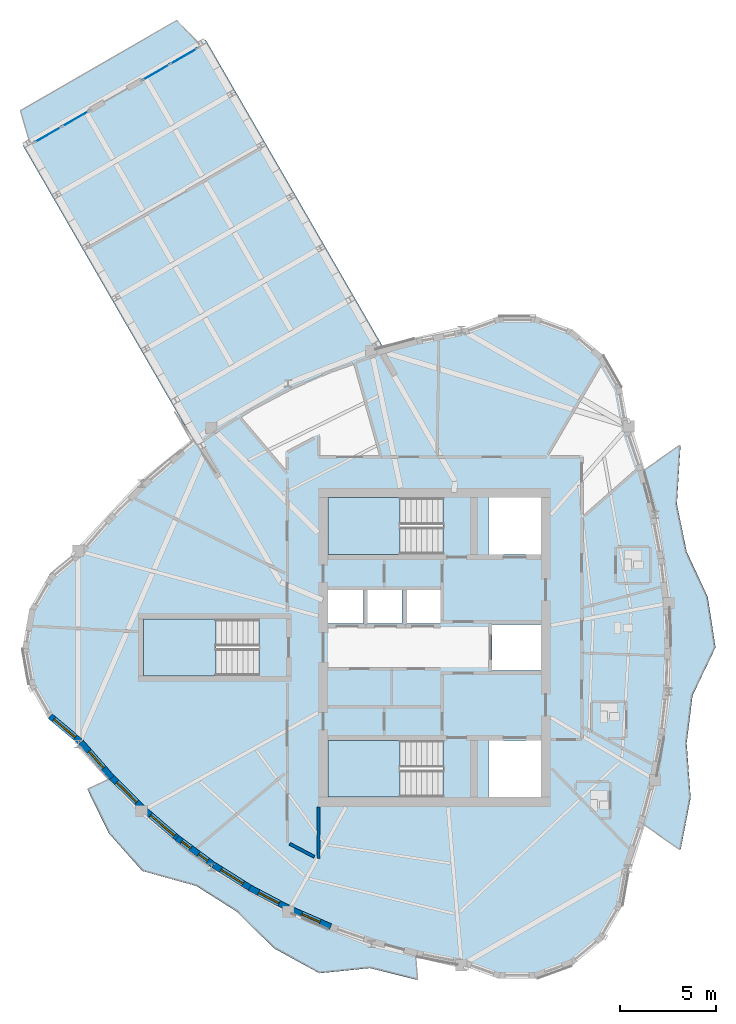
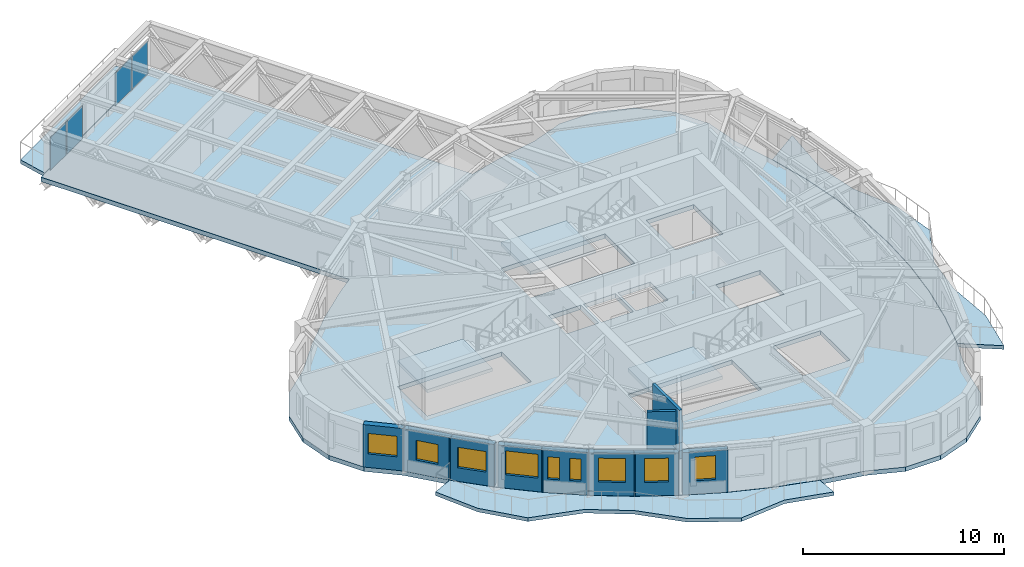
# One storey, part 4 of 14: 10 walls, 9 windows, 7 slabs, 4 plates, 9 openings, 5 elements without a shape of their own.
"""IFC4 building model written with IfcOpenShell, lengths in metres."""

from ifc_helpers import new_model, si_unit, direction, frame, frame_2d, origin, origin_2d, place, context, subcontext, project, spatial, polyline, rectangle, outline, extrude, source, transform, mapped, material, layer, layer_set, type_object, element, fill, aggregate, save


model = new_model("IFC4")

# Units and contexts
model_context = context("Model", 3, precision=1e-05, world=origin(), true_north=direction((0.0, 1.0)))
body_context = subcontext(model_context, "Body", "Model", "MODEL_VIEW")
ifc_project = project(units=[si_unit("LENGTHUNIT", "METRE"), si_unit("AREAUNIT", "SQUARE_METRE"), si_unit("VOLUMEUNIT", "CUBIC_METRE"), si_unit("PLANEANGLEUNIT", "RADIAN"), si_unit("MASSUNIT", "GRAM", prefix="KILO")], contexts=[model_context])

# Site, building, storey
site_placement = place(None, origin())
site = spatial("IfcSite", under=ifc_project, at=site_placement, CompositionType="ELEMENT")
building_placement = place(site_placement, origin())
building = spatial("IfcBuilding", under=site, at=building_placement, Name="Qafzar Sky-Pleat Residences", CompositionType="ELEMENT")
storey_placement = place(building_placement, frame((0.0, 0.0, 211.60009765625)))
storey = spatial("IfcBuildingStorey", under=building, at=storey_placement, Name="L63", CompositionType="ELEMENT", Elevation=211.60009765625)

# Slabs
ifc_material_1 = material(Name="Concrete C40/50", Category="concrete")
ifc_layer_1 = layer(ifc_material_1, 0.219970703125)
ifc_layer_set_1 = layer_set([ifc_layer_1], Name="Concrete C40/50")
slab_type_1 = type_object("IfcSlabType", Name="SLAB-BAL-220", PredefinedType="USERDEFINED", material=ifc_layer_set_1)
slab_1_placement = place(storey_placement, frame((0.0, 0.0, -0.22021484375)))
element("IfcSlab", 1, at=slab_1_placement, inside=storey, type_object=slab_type_1, Name="L63 Pleated Stone Balcony 1", ObjectType="BALCONY", PredefinedType="USERDEFINED", context=body_context, shape_type="SweptSolid", body=[
    extrude(outline(polyline([(41.8642578125, 19.0810546875), (42.302978515625, 21.38720703125), (42.566162109375, 23.693603515625), (42.65380859375, 26.0), (42.566162109375, 28.306396484375), (42.302978515625, 30.61279296875), (41.8642578125, 32.9189453125), (41.25048828125, 35.224853515625), (43.163330078125, 36.556640625), (42.97216796875, 33.4716796875), (43.481201171875, 30.99267578125), (44.5791015625, 28.625), (44.984619140625, 26.0), (43.788818359375, 23.5), (43.481201171875, 21.00732421875), (43.68798828125, 18.171142578125), (43.163330078125, 15.443359375), (41.25048828125, 16.775146484375), (41.8642578125, 19.0810546875)])), origin(), (0.0, 0.0, 1.0), 0.22021484375),
])
slab_2_placement = place(storey_placement, frame((0.0, 0.0, -0.22021484375)))
element("IfcSlab", 2, at=slab_2_placement, inside=storey, type_object=slab_type_1, Name="L63 Pleated Stone Balcony 2", ObjectType="BALCONY", PredefinedType="USERDEFINED", context=body_context, shape_type="SweptSolid", body=[
    extrude(outline(polyline([(15.075927734375, 17.452392578125), (16.85400390625, 15.919677734375), (18.719482421875, 14.53857421875), (20.673095703125, 13.3095703125), (22.71435546875, 12.232177734375), (24.84326171875, 11.306884765625), (27.059814453125, 10.53369140625), (29.36376953125, 9.912353515625), (29.46826171875, 8.6787109375), (26.984619140625, 9.298095703125), (24.353759765625, 9.028076171875), (21.98388671875, 10.32958984375), (20.05419921875, 12.2373046875), (17.940673828125, 13.576416015625), (15.125244140625, 14.356201171875), (13.3759765625, 16.328369140625), (12.26513671875, 18.611083984375), (13.3857421875, 19.13720703125), (15.075927734375, 17.452392578125)])), origin(), (0.0, 0.0, 1.0), 0.22021484375),
])
ifc_layer_2 = layer(ifc_material_1, 0.22998046875)
ifc_layer_set_2 = layer_set([ifc_layer_2], Name="Concrete C40/50")
slab_type_2 = type_object("IfcSlabType", Name="SLAB-BAL-230", PredefinedType="USERDEFINED", material=ifc_layer_set_2)
slab_3_placement = place(storey_placement, frame((0.0, 0.0, -0.22998046875)))
element("IfcSlab", 3, at=slab_3_placement, inside=storey, type_object=slab_type_2, Name="L63 SB-5 Tip Observation Balcony", ObjectType="BALCONY", PredefinedType="USERDEFINED", context=body_context, shape_type="SweptSolid", body=[
    extrude(outline(polyline([(18.084716796875, 57.444091796875), (16.9208984375, 58.659912109375), (8.7802734375, 53.9599609375), (9.251220703125, 52.343994140625), (18.084716796875, 57.444091796875)])), origin(), (0.0, 0.0, 1.0), 0.22998046875),
])

# Stair, slab
stair_type = type_object("IfcStairType", Name="STAIR-H320", PredefinedType="HALF_TURN_STAIR", material=ifc_material_1)
stair_1_placement = place(storey_placement, origin())
stair_1 = element("IfcStair", 4, at=stair_1_placement, inside=storey, type_object=stair_type, Name="L63 Protected Exit Stair ST1", PredefinedType="HALF_TURN_STAIR")
ifc_layer_3 = layer(ifc_material_1, 0.199951171875)
ifc_layer_set_3 = layer_set([ifc_layer_3], Name="Concrete C40/50")
slab_type_3 = type_object("IfcSlabType", Name="SLAB-LANDING-200", PredefinedType="LANDING", material=ifc_layer_set_3)
slab_4_placement = place(storey_placement, frame((0.0, 0.0, 1.39990234375)))
slab_4 = element("IfcSlab", 5, at=slab_4_placement, type_object=slab_type_3, Name="ST1 landing 1", PredefinedType="LANDING", context=body_context, shape_type="SweptSolid", body=[
    extrude(outline(polyline([(28.56005859375, 21.14990234375), (24.800048828125, 21.14990234375), (24.800048828125, 18.199951171875), (28.56005859375, 18.199951171875), (28.56005859375, 21.14990234375)])), origin(), (0.0, 0.0, 1.0), 0.199951171875),
])
aggregate(stair_1, [slab_4])

stair_2_placement = place(storey_placement, origin())
stair_2 = element("IfcStair", 6, at=stair_2_placement, inside=storey, type_object=stair_type, Name="L63 Protected Exit Stair ST2", PredefinedType="HALF_TURN_STAIR")
slab_5_placement = place(storey_placement, frame((0.0, 0.0, 1.39990234375)))
slab_5 = element("IfcSlab", 7, at=slab_5_placement, type_object=slab_type_3, Name="ST2 landing 1", PredefinedType="LANDING", context=body_context, shape_type="SweptSolid", body=[
    extrude(outline(polyline([(28.56005859375, 33.800048828125), (24.800048828125, 33.800048828125), (24.800048828125, 30.85009765625), (28.56005859375, 30.85009765625), (28.56005859375, 33.800048828125)])), origin(), (0.0, 0.0, 1.0), 0.199951171875),
])
aggregate(stair_2, [slab_5])

stair_3_placement = place(storey_placement, origin())
stair_3 = element("IfcStair", 8, at=stair_3_placement, inside=storey, type_object=stair_type, Name="L63 Protected Exit Stair ST3", PredefinedType="HALF_TURN_STAIR")
slab_6_placement = place(storey_placement, frame((0.0, 0.0, 1.39990234375)))
slab_6 = element("IfcSlab", 9, at=slab_6_placement, type_object=slab_type_3, Name="ST3 landing 1", PredefinedType="LANDING", context=body_context, shape_type="SweptSolid", body=[
    extrude(outline(polyline([(18.9599609375, 27.47509765625), (15.199951171875, 27.47509765625), (15.199951171875, 24.52490234375), (18.9599609375, 24.52490234375), (18.9599609375, 27.47509765625)])), origin(), (0.0, 0.0, 1.0), 0.199951171875),
])
aggregate(stair_3, [slab_6])

# Slab
ifc_layer_4 = layer(ifc_material_1, 0.264892578125)
ifc_layer_set_4 = layer_set([ifc_layer_4], Name="Concrete C40/50")
slab_type_4 = type_object("IfcSlabType", Name="SLAB-SB-265", PredefinedType="FLOOR", material=ifc_layer_set_4)
slab_7_placement = place(storey_placement, frame((0.0, 0.0, -0.26513671875)))
element("IfcSlab", 10, at=slab_7_placement, inside=storey, type_object=slab_type_4, Name="L63 Structural Floor Slab", PredefinedType="FLOOR", context=body_context, shape_type="SweptSolid", body=[
    extrude(outline(polyline([(29.36279296875, 42.07568359375), (31.75244140625, 42.54541015625), (33.645263671875, 43.234375), (35.65966796875, 43.234375), (37.552490234375, 42.54541015625), (39.095703125, 41.25048828125), (40.102783203125, 39.506103515625), (40.452392578125, 37.5224609375), (41.240478515625, 35.218017578125), (41.853515625, 32.91357421875), (42.29150390625, 30.60888671875), (42.55419921875, 28.304443359375), (42.641845703125, 26.0), (42.55419921875, 23.695556640625), (42.29150390625, 21.39111328125), (41.853515625, 19.08642578125), (41.240478515625, 16.781982421875), (40.452392578125, 14.4775390625), (40.102783203125, 12.493896484375), (39.095703125, 10.74951171875), (37.552490234375, 9.45458984375), (35.65966796875, 8.765625), (33.645263671875, 8.765625), (31.75244140625, 9.45458984375), (29.36279296875, 9.92431640625), (27.060302734375, 10.545654296875), (24.845703125, 11.318603515625), (22.71875, 12.243408203125), (20.67919921875, 13.31982421875), (18.727294921875, 14.5478515625), (16.86279296875, 15.927734375), (15.0859375, 17.458984375), (13.396728515625, 19.142333984375), (11.794921875, 20.97705078125), (10.251953125, 22.271728515625), (9.244873046875, 24.016357421875), (8.89501953125, 26.0), (9.244873046875, 27.983642578125), (10.251953125, 29.728271484375), (11.794921875, 31.02294921875), (13.396728515625, 32.857666015625), (15.0859375, 34.541015625), (16.86279296875, 36.072265625), (17.788330078125, 36.75732421875), (8.912353515625, 52.131103515625), (18.438720703125, 57.631103515625), (27.681396484375, 41.621826171875), (29.36279296875, 42.07568359375)]), holes=[polyline([(30.797119140625, 21.14990234375), (24.800048828125, 21.14990234375), (24.800048828125, 18.199951171875), (30.797119140625, 18.199951171875), (30.797119140625, 21.14990234375)]), polyline([(30.797119140625, 33.800048828125), (24.800048828125, 33.800048828125), (24.800048828125, 30.85009765625), (30.797119140625, 30.85009765625), (30.797119140625, 33.800048828125)]), polyline([(21.197021484375, 27.47509765625), (15.199951171875, 27.47509765625), (15.199951171875, 24.52490234375), (21.197021484375, 24.52490234375), (21.197021484375, 27.47509765625)]), polyline([(24.800048828125, 27.25), (26.64990234375, 27.25), (26.64990234375, 29.050048828125), (24.800048828125, 29.050048828125), (24.800048828125, 27.25)]), polyline([(26.800048828125, 27.25), (28.64990234375, 27.25), (28.64990234375, 29.050048828125), (26.800048828125, 29.050048828125), (26.800048828125, 27.25)]), polyline([(28.800048828125, 27.25), (30.64990234375, 27.25), (30.64990234375, 29.050048828125), (28.800048828125, 29.050048828125), (28.800048828125, 27.25)]), polyline([(33.14990234375, 18.199951171875), (35.89990234375, 18.199951171875), (35.89990234375, 21.14990234375), (33.14990234375, 21.14990234375), (33.14990234375, 18.199951171875)]), polyline([(33.14990234375, 30.85009765625), (35.89990234375, 30.85009765625), (35.89990234375, 33.800048828125), (33.14990234375, 33.800048828125), (33.14990234375, 30.85009765625)]), polyline([(33.35009765625, 24.800048828125), (35.89990234375, 24.800048828125), (35.89990234375, 27.199951171875), (33.35009765625, 27.199951171875), (33.35009765625, 24.800048828125)])]), origin(), (0.0, 0.0, 1.0), 0.26513671875),
])

# Curtain wall, plates
ifc_material_2 = material(Name="Anodised bronze aluminium framing", Category="aluminium")
ifc_layer_5 = layer(ifc_material_2, 0.239990234375)
ifc_layer_set_5 = layer_set([ifc_layer_5], Name="Anodised bronze aluminium framing")
curtain_wall_type_1 = type_object("IfcCurtainWallType", Name="CW-SYS-02", PredefinedType="NOTDEFINED", material=ifc_layer_set_5)
curtain_wall_1_placement = place(storey_placement, origin())
curtain_wall_1 = element("IfcCurtainWall", 11, at=curtain_wall_1_placement, inside=storey, type_object=curtain_wall_type_1, Name="L63 CW-02 Curtain Wall CW-L63-SB-5-PROW-L", PredefinedType="NOTDEFINED")
ifc_material_3 = material(Name="Solar-control double low-E glazing", Category="glass")
ifc_layer_6 = layer(ifc_material_3, 0.031982421875)
ifc_layer_set_6 = layer_set([ifc_layer_6], Name="Solar-control double low-E glazing")
plate_type_1 = type_object("IfcPlateType", Name="CWP-02", PredefinedType="CURTAIN_PANEL", material=ifc_layer_set_6)
shared_shape_1 = source(origin(), body_context, "Body", "SweptSolid", [
    extrude(rectangle(XDim=1.57763671875, YDim=0.031982421875, at=origin_2d()), origin(), (0.0, 0.0, 1.0), 1.989990234375),
])
plate_1_placement = place(storey_placement, frame((10.220458984375, 52.712890625, 0.07470703125), z_axis=(0.0, 0.0, 1.0), x_axis=(0.866027928541, 0.499995626969, 0.0)))
plate_1 = element("IfcPlate", 12, at=plate_1_placement, type_object=plate_type_1, Name="CW-02 panel 1.1", PredefinedType="CURTAIN_PANEL", context=body_context, shape_type="MappedRepresentation", body=[
    mapped(shared_shape_1, transform((0.0, 0.0, 0.0), x_axis=(1.0, 0.0, 0.0), y_axis=(0.0, 1.0, 0.0), z_axis=(0.0, 0.0, 1.0), scale=1.0)),
])
plate_2_placement = place(storey_placement, frame((11.651611328125, 53.539306640625, 0.07470703125), z_axis=(0.0, 0.0, 1.0), x_axis=(0.866027928541, 0.499995626969, 0.0)))
plate_2 = element("IfcPlate", 13, at=plate_2_placement, type_object=plate_type_1, Name="CW-02 panel 2.1", PredefinedType="CURTAIN_PANEL", context=body_context, shape_type="MappedRepresentation", body=[
    mapped(shared_shape_1, transform((0.0, 0.0, 0.0), x_axis=(1.0, 0.0, 0.0), y_axis=(0.0, 1.0, 0.0), z_axis=(0.0, 0.0, 1.0), scale=1.0)),
])
aggregate(curtain_wall_1, [plate_1, plate_2])

ifc_layer_7 = layer(ifc_material_2, 0.219970703125)
ifc_layer_set_7 = layer_set([ifc_layer_7], Name="Anodised bronze aluminium framing")
curtain_wall_type_2 = type_object("IfcCurtainWallType", Name="CW-SYS-03", PredefinedType="NOTDEFINED", material=ifc_layer_set_7)
curtain_wall_2_placement = place(storey_placement, origin())
curtain_wall_2 = element("IfcCurtainWall", 14, at=curtain_wall_2_placement, inside=storey, type_object=curtain_wall_type_2, Name="L63 CW-03 Curtain Wall CW-L63-SB-5-PROW-R", PredefinedType="NOTDEFINED")
ifc_layer_8 = layer(ifc_material_3, 0.030029296875)
ifc_layer_set_8 = layer_set([ifc_layer_8], Name="Solar-control double low-E glazing")
plate_type_2 = type_object("IfcPlateType", Name="CWP-03", PredefinedType="CURTAIN_PANEL", material=ifc_layer_set_8)
shared_shape_2 = source(origin(), body_context, "Body", "SweptSolid", [
    extrude(rectangle(XDim=1.5849609375, YDim=0.030029296875, at=origin_2d()), origin(), (0.0, 0.0, 1.0), 2.0),
])
plate_3_placement = place(storey_placement, frame((15.848388671875, 55.96240234375, 0.06982421875), z_axis=(0.0, 0.0, 1.0), x_axis=(0.866027928541, 0.499995626969, 0.0)))
plate_3 = element("IfcPlate", 15, at=plate_3_placement, type_object=plate_type_2, Name="CW-03 panel 1.1", PredefinedType="CURTAIN_PANEL", context=body_context, shape_type="MappedRepresentation", body=[
    mapped(shared_shape_2, transform((0.0, 0.0, 0.0), x_axis=(1.0, 0.0, 0.0), y_axis=(0.0, 1.0, 0.0), z_axis=(0.0, 0.0, 1.0), scale=1.0)),
])
plate_4_placement = place(storey_placement, frame((17.28173828125, 56.789794921875, 0.06982421875), z_axis=(0.0, 0.0, 1.0), x_axis=(0.866027928541, 0.499995626969, 0.0)))
plate_4 = element("IfcPlate", 16, at=plate_4_placement, type_object=plate_type_2, Name="CW-03 panel 2.1", PredefinedType="CURTAIN_PANEL", context=body_context, shape_type="MappedRepresentation", body=[
    mapped(shared_shape_2, transform((0.0, 0.0, 0.0), x_axis=(1.0, 0.0, 0.0), y_axis=(0.0, 1.0, 0.0), z_axis=(0.0, 0.0, 1.0), scale=1.0)),
])
aggregate(curtain_wall_2, [plate_3, plate_4])

# Walls
ifc_material_4 = material(Name="Acoustic gypsum plasterboard partition", Category="gypsum")
ifc_layer_9 = layer(ifc_material_4, 0.159912109375)
ifc_layer_set_9 = layer_set([ifc_layer_9], Name="Acoustic gypsum plasterboard partition")
wall_type_1 = type_object("IfcWallType", Name="PART-COR-160", PredefinedType="PARTITIONING", material=ifc_layer_set_9)
wall_1_placement = place(storey_placement, frame((24.300048828125, 15.001953125, 0.0), z_axis=(0.0, 0.0, 1.0), x_axis=(0.0, 1.0, 0.0)))
element("IfcWall", 17, at=wall_1_placement, inside=storey, type_object=wall_type_1, Name="L63 Partition Wall PART-L63-PW-029", PredefinedType="PARTITIONING", context=body_context, shape_type="SweptSolid", body=[
    extrude(rectangle(XDim=2.68994140625, YDim=0.159912109375, at=frame_2d((1.344970703125, 0.0))), origin(), (0.0, 0.0, 1.0), 2.9599609375),
])
wall_2_placement = place(storey_placement, frame((22.804443359375, 15.771240234375, 0.0), z_axis=(0.0, 0.0, 1.0), x_axis=(0.884421402819, -0.4666891709, 0.0)))
element("IfcWall", 18, at=wall_2_placement, inside=storey, type_object=wall_type_1, Name="L63 Partition Wall PART-L63-PW-041", PredefinedType="PARTITIONING", context=body_context, shape_type="SweptSolid", body=[
    extrude(rectangle(XDim=1.451171875, YDim=0.159912109375, at=frame_2d((0.7255859375, 0.0))), origin(), (0.0, 0.0, 1.0), 2.9599609375),
])

# Wall, opening, window
ifc_material_5 = material(Name="Precast concrete C40/50 with honed Riyadh limestone", Category="concrete")
ifc_layer_10 = layer(ifc_material_5, 0.320068359375)
ifc_layer_set_10 = layer_set([ifc_layer_10], Name="Precast concrete C40/50 with honed Riyadh limestone")
wall_type_2 = type_object("IfcWallType", Name="WALL-EXT-320", PredefinedType="SOLIDWALL", material=ifc_layer_set_10)
wall_3_placement = place(storey_placement, frame((10.32568359375, 22.418701171875, 0.0), z_axis=(0.0, 0.0, 1.0), x_axis=(0.766099948115, -0.642721455608, 0.0)))
wall_3 = element("IfcWall", 19, at=wall_3_placement, inside=storey, type_object=wall_type_2, Name="L63 Limestone Facade Wall 6", PredefinedType="SOLIDWALL", context=body_context, shape_type="SweptSolid", body=[
    extrude(rectangle(XDim=2.0322265625, YDim=0.320068359375, at=frame_2d((1.01611328125, 0.0))), origin(), (0.0, 0.0, 1.0), 2.579833984375),
])
opening_1_placement = place(wall_3_placement, frame((0.26123046875, 0.0, 0.820068359375)))
opening_1 = element("IfcOpeningElement", 20, at=opening_1_placement, cuts=wall_3, Name="Opening WN-15", PredefinedType="OPENING", context=body_context, shape_type="SweptSolid", body=[
    extrude(rectangle(XDim=1.449951171875, YDim=1.25, at=frame_2d((0.72509765625, 0.625))), frame((0.0, 0.169921875, 0.0), z_axis=(0.0, -1.0, 0.0), x_axis=(1.0, 0.0, 0.0)), (0.0, 0.0, 1.0), 0.340087890625),
])
ifc_material_6 = material(Name="Solar-control low-E glass in bronze aluminium frame", Category="glass")
window_type_1 = type_object("IfcWindowType", Name="WIN-15", PartitioningType="SINGLE_PANEL", PredefinedType="WINDOW", material=ifc_material_6)
shared_shape_3 = source(origin(), body_context, "Body", "SweptSolid", [
    extrude(rectangle(XDim=1.449951171875, YDim=1.25, at=frame_2d((0.72509765625, 0.625))), frame((0.0, 0.030029296875, 0.0), z_axis=(0.0, -1.0, 0.0), x_axis=(1.0, 0.0, 0.0)), (0.0, 0.0, 1.0), 0.06005859375),
])
window_1_placement = place(opening_1_placement, origin())
window_1 = element("IfcWindow", 21, at=window_1_placement, inside=storey, type_object=window_type_1, Name="L63 Punched Facade Window 06", OverallHeight=1.25, OverallWidth=1.449951171875, PartitioningType="SINGLE_PANEL", PredefinedType="WINDOW", context=body_context, shape_type="MappedRepresentation", body=[
    mapped(shared_shape_3, transform((0.0, 0.0, 0.0), x_axis=(1.0, 0.0, 0.0), y_axis=(0.0, 1.0, 0.0), z_axis=(0.0, 0.0, 1.0), scale=1.0)),
])
fill(opening_1, window_1)

wall_4_placement = place(storey_placement, frame((11.9287109375, 21.0673828125, 0.0), z_axis=(0.0, 0.0, 1.0), x_axis=(0.657623588515, -0.753346677054, 0.0)))
wall_4 = element("IfcWall", 22, at=wall_4_placement, inside=storey, type_object=wall_type_2, Name="L63 Limestone Facade Wall 7", PredefinedType="SOLIDWALL", context=body_context, shape_type="SweptSolid", body=[
    extrude(rectangle(XDim=2.45361328125, YDim=0.320068359375, at=frame_2d((1.226806640625, 0.0))), origin(), (0.0, 0.0, 1.0), 2.579833984375),
])
opening_2_placement = place(wall_4_placement, frame((0.641845703125, 0.0, 0.820068359375)))
opening_2 = element("IfcOpeningElement", 23, at=opening_2_placement, cuts=wall_4, Name="Opening WN-16", PredefinedType="OPENING", context=body_context, shape_type="SweptSolid", body=[
    extrude(rectangle(XDim=1.14990234375, YDim=1.199951171875, at=frame_2d((0.574951171875, 0.60009765625))), frame((0.0, 0.169921875, 0.0), z_axis=(0.0, -1.0, 0.0), x_axis=(1.0, 0.0, 0.0)), (0.0, 0.0, 1.0), 0.340087890625),
])
window_type_2 = type_object("IfcWindowType", Name="WIN-16", PartitioningType="SINGLE_PANEL", PredefinedType="WINDOW", material=ifc_material_6)
shared_shape_4 = source(origin(), body_context, "Body", "SweptSolid", [
    extrude(rectangle(XDim=1.14990234375, YDim=1.199951171875, at=frame_2d((0.574951171875, 0.60009765625))), frame((0.0, 0.030029296875, 0.0), z_axis=(0.0, -1.0, 0.0), x_axis=(1.0, 0.0, 0.0)), (0.0, 0.0, 1.0), 0.06005859375),
])
window_2_placement = place(opening_2_placement, origin())
window_2 = element("IfcWindow", 24, at=window_2_placement, inside=storey, type_object=window_type_2, Name="L63 Punched Facade Window 07", OverallHeight=1.199951171875, OverallWidth=1.14990234375, PartitioningType="SINGLE_PANEL", PredefinedType="WINDOW", context=body_context, shape_type="MappedRepresentation", body=[
    mapped(shared_shape_4, transform((0.0, 0.0, 0.0), x_axis=(1.0, 0.0, 0.0), y_axis=(0.0, 1.0, 0.0), z_axis=(0.0, 0.0, 1.0), scale=1.0)),
])
fill(opening_2, window_2)

wall_5_placement = place(storey_placement, frame((13.482666015625, 19.282470703125, 0.0), z_axis=(0.0, 0.0, 1.0), x_axis=(0.7083616261, -0.70584970544, 0.0)))
wall_5 = element("IfcWall", 25, at=wall_5_placement, inside=storey, type_object=wall_type_2, Name="L63 Limestone Facade Wall 8", PredefinedType="SOLIDWALL", context=body_context, shape_type="SweptSolid", body=[
    extrude(rectangle(XDim=2.33251953125, YDim=0.320068359375, at=frame_2d((1.166259765625, 0.0))), origin(), (0.0, 0.0, 1.0), 2.579833984375),
])
opening_3_placement = place(wall_5_placement, frame((0.4462890625, 0.0, 0.820068359375)))
opening_3 = element("IfcOpeningElement", 26, at=opening_3_placement, cuts=wall_5, Name="Opening WN-15", PredefinedType="OPENING", context=body_context, shape_type="SweptSolid", body=[
    extrude(rectangle(XDim=1.449951171875, YDim=1.25, at=frame_2d((0.72509765625, 0.625))), frame((0.0, 0.169921875, 0.0), z_axis=(0.0, -1.0, 0.0), x_axis=(1.0, 0.0, 0.0)), (0.0, 0.0, 1.0), 0.340087890625),
])
window_3_placement = place(opening_3_placement, origin())
window_3 = element("IfcWindow", 27, at=window_3_placement, inside=storey, type_object=window_type_1, Name="L63 Punched Facade Window 08", OverallHeight=1.25, OverallWidth=1.449951171875, PartitioningType="SINGLE_PANEL", PredefinedType="WINDOW", context=body_context, shape_type="MappedRepresentation", body=[
    mapped(shared_shape_3, transform((0.0, 0.0, 0.0), x_axis=(1.0, 0.0, 0.0), y_axis=(0.0, 1.0, 0.0), z_axis=(0.0, 0.0, 1.0), scale=1.0)),
])
fill(opening_3, window_3)

wall_6_placement = place(storey_placement, frame((15.258544921875, 17.521484375, 0.0), z_axis=(0.0, 0.0, 1.0), x_axis=(0.757533377792, -0.652796431923, 0.0)))
wall_6 = element("IfcWall", 28, at=wall_6_placement, inside=storey, type_object=wall_type_2, Name="L63 Limestone Facade Wall 9", PredefinedType="SOLIDWALL", context=body_context, shape_type="SweptSolid", body=[
    extrude(rectangle(XDim=2.293701171875, YDim=0.320068359375, at=frame_2d((1.14697265625, 0.0))), origin(), (0.0, 0.0, 1.0), 2.579833984375),
])
opening_4_placement = place(wall_6_placement, frame((0.39697265625, 0.0, 0.820068359375)))
opening_4 = element("IfcOpeningElement", 29, at=opening_4_placement, cuts=wall_6, Name="Opening WN-02", PredefinedType="OPENING", context=body_context, shape_type="SweptSolid", body=[
    extrude(rectangle(XDim=1.64990234375, YDim=1.449951171875, at=frame_2d((0.824951171875, 0.72509765625))), frame((0.0, 0.169921875, 0.0), z_axis=(0.0, -1.0, 0.0), x_axis=(1.0, 0.0, 0.0)), (0.0, 0.0, 1.0), 0.340087890625),
])
window_type_3 = type_object("IfcWindowType", Name="WIN-02", PartitioningType="DOUBLE_PANEL_VERTICAL", PredefinedType="WINDOW", material=ifc_material_6)
shared_shape_5 = source(origin(), body_context, "Body", "SweptSolid", [
    extrude(rectangle(XDim=1.64990234375, YDim=1.449951171875, at=frame_2d((0.824951171875, 0.72509765625))), frame((0.0, 0.030029296875, 0.0), z_axis=(0.0, -1.0, 0.0), x_axis=(1.0, 0.0, 0.0)), (0.0, 0.0, 1.0), 0.06005859375),
])
window_4_placement = place(opening_4_placement, origin())
window_4 = element("IfcWindow", 30, at=window_4_placement, inside=storey, type_object=window_type_3, Name="L63 Punched Facade Window 09", OverallHeight=1.449951171875, OverallWidth=1.64990234375, PartitioningType="SINGLE_PANEL", PredefinedType="WINDOW", context=body_context, shape_type="MappedRepresentation", body=[
    mapped(shared_shape_5, transform((0.0, 0.0, 0.0), x_axis=(1.0, 0.0, 0.0), y_axis=(0.0, 1.0, 0.0), z_axis=(0.0, 0.0, 1.0), scale=1.0)),
])
fill(opening_4, window_4)

# Wall, openings, windows
wall_7_placement = place(storey_placement, frame((16.927490234375, 16.078857421875, 0.0), z_axis=(0.0, 0.0, 1.0), x_axis=(0.803843896942, -0.594840305754, 0.0)))
wall_7 = element("IfcWall", 31, at=wall_7_placement, inside=storey, type_object=wall_type_2, Name="L63 Limestone Facade Wall 10", PredefinedType="SOLIDWALL", context=body_context, shape_type="SweptSolid", body=[
    extrude(rectangle(XDim=2.33740234375, YDim=0.320068359375, at=frame_2d((1.168701171875, 0.0))), origin(), (0.0, 0.0, 1.0), 2.579833984375),
])
opening_5_placement = place(wall_7_placement, frame((0.3125, 0.0, 0.820068359375)))
opening_5 = element("IfcOpeningElement", 32, at=opening_5_placement, cuts=wall_7, Name="Opening WN-17", PredefinedType="OPENING", context=body_context, shape_type="SweptSolid", body=[
    extrude(rectangle(XDim=0.580078125, YDim=1.35009765625, at=frame_2d((0.2900390625, 0.675048828125))), frame((0.0, 0.169921875, 0.0), z_axis=(0.0, -1.0, 0.0), x_axis=(1.0, 0.0, 0.0)), (0.0, 0.0, 1.0), 0.340087890625),
])
opening_6_placement = place(wall_7_placement, frame((1.411376953125, 0.0, 0.820068359375)))
opening_6 = element("IfcOpeningElement", 33, at=opening_6_placement, cuts=wall_7, Name="Opening WN-17", PredefinedType="OPENING", context=body_context, shape_type="SweptSolid", body=[
    extrude(rectangle(XDim=0.580078125, YDim=1.35009765625, at=frame_2d((0.2900390625, 0.675048828125))), frame((0.0, 0.169921875, 0.0), z_axis=(0.0, -1.0, 0.0), x_axis=(1.0, 0.0, 0.0)), (0.0, 0.0, 1.0), 0.340087890625),
])
window_type_4 = type_object("IfcWindowType", Name="WIN-17", PartitioningType="SINGLE_PANEL", PredefinedType="WINDOW", material=ifc_material_6)
shared_shape_6 = source(origin(), body_context, "Body", "SweptSolid", [
    extrude(rectangle(XDim=0.580078125, YDim=1.35009765625, at=frame_2d((0.2900390625, 0.675048828125))), frame((0.0, 0.030029296875, 0.0), z_axis=(0.0, -1.0, 0.0), x_axis=(1.0, 0.0, 0.0)), (0.0, 0.0, 1.0), 0.06005859375),
])
window_5_placement = place(opening_5_placement, origin())
window_5 = element("IfcWindow", 34, at=window_5_placement, inside=storey, type_object=window_type_4, Name="L63 Punched Facade Window 10", OverallHeight=1.35009765625, OverallWidth=0.580078125, PartitioningType="SINGLE_PANEL", PredefinedType="WINDOW", context=body_context, shape_type="MappedRepresentation", body=[
    mapped(shared_shape_6, transform((0.0, 0.0, 0.0), x_axis=(1.0, 0.0, 0.0), y_axis=(0.0, 1.0, 0.0), z_axis=(0.0, 0.0, 1.0), scale=1.0)),
])
fill(opening_5, window_5)
window_6_placement = place(opening_6_placement, origin())
window_6 = element("IfcWindow", 35, at=window_6_placement, inside=storey, type_object=window_type_4, Name="L63 Punched Facade Window 10-2", OverallHeight=1.35009765625, OverallWidth=0.580078125, PartitioningType="SINGLE_PANEL", PredefinedType="WINDOW", context=body_context, shape_type="MappedRepresentation", body=[
    mapped(shared_shape_6, transform((0.0, 0.0, 0.0), x_axis=(1.0, 0.0, 0.0), y_axis=(0.0, 1.0, 0.0), z_axis=(0.0, 0.0, 1.0), scale=1.0)),
])
fill(opening_6, window_6)

# Wall, opening, window
wall_8_placement = place(storey_placement, frame((18.829345703125, 14.672607421875, 0.0), z_axis=(0.0, 0.0, 1.0), x_axis=(0.846418748285, -0.53251788942, 0.0)))
wall_8 = element("IfcWall", 36, at=wall_8_placement, inside=storey, type_object=wall_type_2, Name="L63 Limestone Facade Wall 11", PredefinedType="SOLIDWALL", context=body_context, shape_type="SweptSolid", body=[
    extrude(rectangle(XDim=2.323974609375, YDim=0.320068359375, at=frame_2d((1.162109375, 0.0))), origin(), (0.0, 0.0, 1.0), 2.579833984375),
])
opening_7_placement = place(wall_8_placement, frame((0.47705078125, 0.0, 0.820068359375)))
opening_7 = element("IfcOpeningElement", 37, at=opening_7_placement, cuts=wall_8, Name="Opening WN-04", PredefinedType="OPENING", context=body_context, shape_type="SweptSolid", body=[
    extrude(rectangle(XDim=1.35009765625, YDim=1.449951171875, at=frame_2d((0.675048828125, 0.72509765625))), frame((0.0, 0.169921875, 0.0), z_axis=(0.0, -1.0, 0.0), x_axis=(1.0, 0.0, 0.0)), (0.0, 0.0, 1.0), 0.340087890625),
])
window_type_5 = type_object("IfcWindowType", Name="WIN-04", PartitioningType="SINGLE_PANEL", PredefinedType="WINDOW", material=ifc_material_6)
shared_shape_7 = source(origin(), body_context, "Body", "SweptSolid", [
    extrude(rectangle(XDim=1.35009765625, YDim=1.449951171875, at=frame_2d((0.675048828125, 0.72509765625))), frame((0.0, 0.030029296875, 0.0), z_axis=(0.0, -1.0, 0.0), x_axis=(1.0, 0.0, 0.0)), (0.0, 0.0, 1.0), 0.06005859375),
])
window_7_placement = place(opening_7_placement, origin())
window_7 = element("IfcWindow", 38, at=window_7_placement, inside=storey, type_object=window_type_5, Name="L63 Punched Facade Window 11", OverallHeight=1.449951171875, OverallWidth=1.35009765625, PartitioningType="SINGLE_PANEL", PredefinedType="WINDOW", context=body_context, shape_type="MappedRepresentation", body=[
    mapped(shared_shape_7, transform((0.0, 0.0, 0.0), x_axis=(1.0, 0.0, 0.0), y_axis=(0.0, 1.0, 0.0), z_axis=(0.0, 0.0, 1.0), scale=1.0)),
])
fill(opening_7, window_7)

wall_9_placement = place(storey_placement, frame((20.72021484375, 13.47900390625, 0.0), z_axis=(0.0, 0.0, 1.0), x_axis=(0.884422006569, -0.466688026734, 0.0)))
wall_9 = element("IfcWall", 39, at=wall_9_placement, inside=storey, type_object=wall_type_2, Name="L63 Limestone Facade Wall 12", PredefinedType="SOLIDWALL", context=body_context, shape_type="SweptSolid", body=[
    extrude(rectangle(XDim=2.254150390625, YDim=0.320068359375, at=frame_2d((1.126953125, 0.0))), origin(), (0.0, 0.0, 1.0), 2.579833984375),
])
opening_8_placement = place(wall_9_placement, frame((0.531982421875, 0.0, 0.820068359375)))
opening_8 = element("IfcOpeningElement", 40, at=opening_8_placement, cuts=wall_9, Name="Opening WN-05", PredefinedType="OPENING", context=body_context, shape_type="SweptSolid", body=[
    extrude(rectangle(XDim=1.199951171875, YDim=1.449951171875, at=frame_2d((0.60009765625, 0.72509765625))), frame((0.0, 0.169921875, 0.0), z_axis=(0.0, -1.0, 0.0), x_axis=(1.0, 0.0, 0.0)), (0.0, 0.0, 1.0), 0.340087890625),
])
window_type_6 = type_object("IfcWindowType", Name="WIN-05", PartitioningType="SINGLE_PANEL", PredefinedType="WINDOW", material=ifc_material_6)
shared_shape_8 = source(origin(), body_context, "Body", "SweptSolid", [
    extrude(rectangle(XDim=1.199951171875, YDim=1.449951171875, at=frame_2d((0.60009765625, 0.72509765625))), frame((0.0, 0.030029296875, 0.0), z_axis=(0.0, -1.0, 0.0), x_axis=(1.0, 0.0, 0.0)), (0.0, 0.0, 1.0), 0.06005859375),
])
window_8_placement = place(opening_8_placement, origin())
window_8 = element("IfcWindow", 41, at=window_8_placement, inside=storey, type_object=window_type_6, Name="L63 Punched Facade Window 12", OverallHeight=1.449951171875, OverallWidth=1.199951171875, PartitioningType="SINGLE_PANEL", PredefinedType="WINDOW", context=body_context, shape_type="MappedRepresentation", body=[
    mapped(shared_shape_8, transform((0.0, 0.0, 0.0), x_axis=(1.0, 0.0, 0.0), y_axis=(0.0, 1.0, 0.0), z_axis=(0.0, 0.0, 1.0), scale=1.0)),
])
fill(opening_8, window_8)

wall_10_placement = place(storey_placement, frame((22.864990234375, 12.354248046875, 0.0), z_axis=(0.0, 0.0, 1.0), x_axis=(0.917071768096, -0.398722174153, 0.0)))
wall_10 = element("IfcWall", 42, at=wall_10_placement, inside=storey, type_object=wall_type_2, Name="L63 Limestone Facade Wall 13", PredefinedType="SOLIDWALL", context=body_context, shape_type="SweptSolid", body=[
    extrude(rectangle(XDim=2.267333984375, YDim=0.320068359375, at=frame_2d((1.1337890625, 0.0))), origin(), (0.0, 0.0, 1.0), 2.579833984375),
])
opening_9_placement = place(wall_10_placement, frame((0.603759765625, 0.0, 0.820068359375)))
opening_9 = element("IfcOpeningElement", 43, at=opening_9_placement, cuts=wall_10, Name="Opening WN-06", PredefinedType="OPENING", context=body_context, shape_type="SweptSolid", body=[
    extrude(rectangle(XDim=1.050048828125, YDim=1.449951171875, at=frame_2d((0.52490234375, 0.72509765625))), frame((0.0, 0.169921875, 0.0), z_axis=(0.0, -1.0, 0.0), x_axis=(1.0, 0.0, 0.0)), (0.0, 0.0, 1.0), 0.340087890625),
])
window_type_7 = type_object("IfcWindowType", Name="WIN-06", PartitioningType="SINGLE_PANEL", PredefinedType="WINDOW", material=ifc_material_6)
shared_shape_9 = source(origin(), body_context, "Body", "SweptSolid", [
    extrude(rectangle(XDim=1.050048828125, YDim=1.449951171875, at=frame_2d((0.52490234375, 0.72509765625))), frame((0.0, 0.030029296875, 0.0), z_axis=(0.0, -1.0, 0.0), x_axis=(1.0, 0.0, 0.0)), (0.0, 0.0, 1.0), 0.06005859375),
])
window_9_placement = place(opening_9_placement, origin())
window_9 = element("IfcWindow", 44, at=window_9_placement, inside=storey, type_object=window_type_7, Name="L63 Punched Facade Window 13", OverallHeight=1.449951171875, OverallWidth=1.050048828125, PartitioningType="SINGLE_PANEL", PredefinedType="WINDOW", context=body_context, shape_type="MappedRepresentation", body=[
    mapped(shared_shape_9, transform((0.0, 0.0, 0.0), x_axis=(1.0, 0.0, 0.0), y_axis=(0.0, 1.0, 0.0), z_axis=(0.0, 0.0, 1.0), scale=1.0)),
])
fill(opening_9, window_9)

save(model, "model.ifc")
